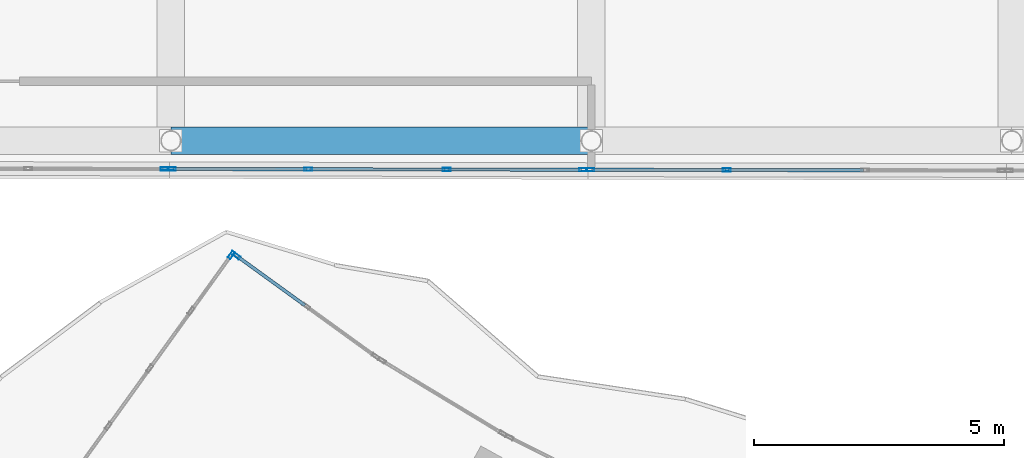
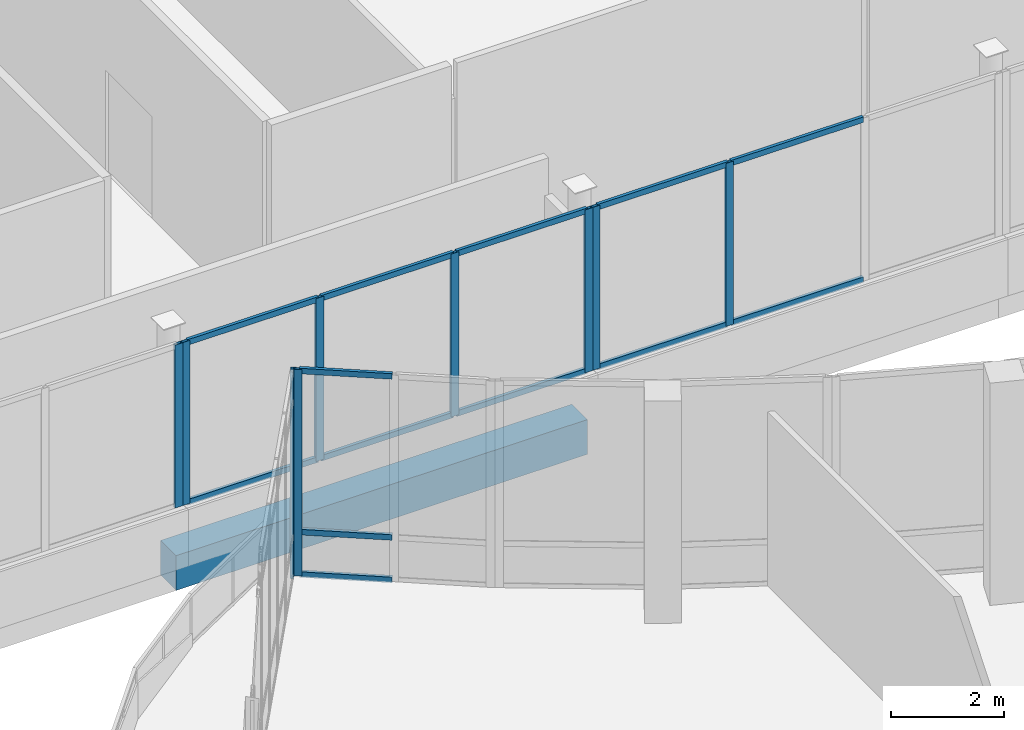
# One storey, part 28 of 155: 22 members, 1 beam, 5 elements without a shape of their own.
"""IFC4 building model written with IfcOpenShell, lengths in metres."""

from ifc_helpers import new_model, si_unit, direction, frame, origin, origin_2d, place, context, subcontext, project, spatial, rectangle, hollow_rectangle, extrude, material, material_profile, profile_set, type_object, element, aggregate, save


model = new_model("IFC4")

# Units and contexts
model_context = context("Model", 3, precision=1e-05, world=origin(), true_north=direction((0.0, 1.0)))
body_context = subcontext(model_context, "Body", "Model", "MODEL_VIEW")
ifc_project = project(units=[si_unit("LENGTHUNIT", "METRE"), si_unit("AREAUNIT", "SQUARE_METRE"), si_unit("VOLUMEUNIT", "CUBIC_METRE"), si_unit("PLANEANGLEUNIT", "RADIAN"), si_unit("MASSUNIT", "GRAM", prefix="KILO")], contexts=[model_context])

# Site, building, storey
site_placement = place(None, origin())
site = spatial("IfcSite", under=ifc_project, at=site_placement, CompositionType="ELEMENT")
building_placement = place(site_placement, origin())
building = spatial("IfcBuilding", under=site, at=building_placement, Name="Selatvlak General Hospital", CompositionType="ELEMENT")
storey_placement = place(building_placement, frame((0.0, 0.0, 10.199951171875)))
storey = spatial("IfcBuildingStorey", under=building, at=storey_placement, Name="L02", CompositionType="ELEMENT", Elevation=10.199951171875)

# Beam
ifc_material_1 = material(Name="Concrete C40/50", Category="concrete")
ifc_material_profile_1 = material_profile(ifc_material_1, rectangle(XDim=0.550048828125, YDim=0.75, at=origin_2d()), Name="RC-BM 550x750")
ifc_profile_set_1 = profile_set([ifc_material_profile_1], Name="Concrete C40/50")
beam_type = type_object("IfcBeamType", Name="BM-G02", PredefinedType="BEAM", material=ifc_profile_set_1)
beam_placement = place(storey_placement, frame((31.199951171875, 52.550048828125, -0.72998046875), z_axis=(1.0, 0.0, 0.0), x_axis=(0.0, 1.0, 0.0)))
element("IfcBeam", 1, at=beam_placement, inside=storey, type_object=beam_type, Name="Beam BMR-L02-0768", PredefinedType="BEAM", context=body_context, shape_type="SweptSolid", body=[
    extrude(rectangle(XDim=0.550048828125, YDim=0.75, at=origin_2d()), origin(), (0.0, 0.0, 1.0), 8.400146484375),
])

# Curtain wall, member
ifc_material_2 = material(Name="Solar-control Low-E double glazing", Category="glass")
curtain_wall_type_1 = type_object("IfcCurtainWallType", Name="CW-CW-01", PredefinedType="USERDEFINED", material=ifc_material_2)
curtain_wall_1_placement = place(storey_placement, origin())
curtain_wall_1 = element("IfcCurtainWall", 2, at=curtain_wall_1_placement, inside=storey, type_object=curtain_wall_type_1, Name="Glazed facade curtain wall CW-L02-0320", ObjectType="UNITISED CURTAIN WALL", PredefinedType="USERDEFINED")
ifc_material_3 = material(Name="Dark anodised aluminium mullion", Category="aluminium")
ifc_material_profile_2 = material_profile(ifc_material_3, hollow_rectangle(XDim=0.06494140625, YDim=0.159912109375, WallThickness=0.00390625, at=origin_2d()), Name="AL-MUL 65x160x4")
ifc_profile_set_2 = profile_set([ifc_material_profile_2], Name="Dark anodised aluminium mullion")
member_type_1 = type_object("IfcMemberType", Name="CWM-01", PredefinedType="MULLION", material=ifc_profile_set_2)
member_1_placement = place(storey_placement, frame((32.407958984375, 50.2666015625, 0.0), z_axis=(0.0, 0.0, 1.0), x_axis=(-0.811837318502, 0.583883694145, 0.0)))
member_1 = element("IfcMember", 3, at=member_1_placement, type_object=member_type_1, Name="CW-01 mullion 6", PredefinedType="MULLION", context=body_context, shape_type="SweptSolid", body=[
    extrude(hollow_rectangle(XDim=0.06494140625, YDim=0.159912109375, WallThickness=0.00390625, at=origin_2d()), origin(), (0.0, 0.0, 1.0), 4.4599609375),
])
aggregate(curtain_wall_1, [member_1])

curtain_wall_2_placement = place(storey_placement, origin())
curtain_wall_2 = element("IfcCurtainWall", 4, at=curtain_wall_2_placement, inside=storey, type_object=curtain_wall_type_1, Name="Glazed facade curtain wall CW-L02-0321", ObjectType="UNITISED CURTAIN WALL", PredefinedType="USERDEFINED")
member_2_placement = place(storey_placement, frame((32.514404296875, 50.248046875, 0.0), z_axis=(0.0, 0.0, 1.0), x_axis=(0.58631560804, 0.810082716622, 0.0)))
member_2 = element("IfcMember", 5, at=member_2_placement, type_object=member_type_1, Name="CW-01 mullion 1", PredefinedType="MULLION", context=body_context, shape_type="SweptSolid", body=[
    extrude(hollow_rectangle(XDim=0.06494140625, YDim=0.159912109375, WallThickness=0.00390625, at=origin_2d()), origin(), (0.0, 0.0, 1.0), 4.4599609375),
])

# Curtain wall, members
curtain_wall_type_2 = type_object("IfcCurtainWallType", Name="CW-CW-02", PredefinedType="USERDEFINED", material=ifc_material_2)
curtain_wall_3_placement = place(storey_placement, origin())
curtain_wall_3 = element("IfcCurtainWall", 6, at=curtain_wall_3_placement, inside=storey, type_object=curtain_wall_type_2, Name="Glazed facade curtain wall CW-L02-0343", ObjectType="UNITISED CURTAIN WALL", PredefinedType="USERDEFINED")
member_3_placement = place(storey_placement, frame((42.30859375, 51.965087890625, 0.93994140625), z_axis=(0.0, 0.0, 1.0), x_axis=(-0.001811153756, -0.99999835986, 0.0)))
member_3 = element("IfcMember", 7, at=member_3_placement, type_object=member_type_1, Name="CW-02 mullion 3", PredefinedType="MULLION", context=body_context, shape_type="SweptSolid", body=[
    extrude(hollow_rectangle(XDim=0.06494140625, YDim=0.159912109375, WallThickness=0.00390625, at=origin_2d()), origin(), (0.0, 0.0, 1.0), 3.52001953125),
])
member_4_placement = place(storey_placement, frame((39.58056640625, 51.969970703125, 0.93994140625), z_axis=(0.0, 0.0, 1.0), x_axis=(-0.001811153756, -0.99999835986, 0.0)))
member_4 = element("IfcMember", 8, at=member_4_placement, type_object=member_type_1, Name="CW-02 mullion 4", PredefinedType="MULLION", context=body_context, shape_type="SweptSolid", body=[
    extrude(hollow_rectangle(XDim=0.06494140625, YDim=0.159912109375, WallThickness=0.00390625, at=origin_2d()), origin(), (0.0, 0.0, 1.0), 3.52001953125),
])

curtain_wall_4_placement = place(storey_placement, origin())
curtain_wall_4 = element("IfcCurtainWall", 9, at=curtain_wall_4_placement, inside=storey, type_object=curtain_wall_type_1, Name="Glazed facade curtain wall CW-L02-0344", ObjectType="UNITISED CURTAIN WALL", PredefinedType="USERDEFINED")
member_5_placement = place(storey_placement, frame((39.435546875, 51.969970703125, 0.93994140625), z_axis=(0.0, 0.0, 1.0), x_axis=(-0.001811153756, -0.99999835986, 0.0)))
member_5 = element("IfcMember", 10, at=member_5_placement, type_object=member_type_1, Name="CW-01 mullion 1", PredefinedType="MULLION", context=body_context, shape_type="SweptSolid", body=[
    extrude(hollow_rectangle(XDim=0.06494140625, YDim=0.159912109375, WallThickness=0.00390625, at=origin_2d()), origin(), (0.0, 0.0, 1.0), 3.52001953125),
])
member_6_placement = place(storey_placement, frame((36.707275390625, 51.97509765625, 0.93994140625), z_axis=(0.0, 0.0, 1.0), x_axis=(-0.001811153756, -0.99999835986, 0.0)))
member_6 = element("IfcMember", 11, at=member_6_placement, type_object=member_type_1, Name="CW-01 mullion 2", PredefinedType="MULLION", context=body_context, shape_type="SweptSolid", body=[
    extrude(hollow_rectangle(XDim=0.06494140625, YDim=0.159912109375, WallThickness=0.00390625, at=origin_2d()), origin(), (0.0, 0.0, 1.0), 3.52001953125),
])
member_7_placement = place(storey_placement, frame((33.94677734375, 51.97998046875, 0.93994140625), z_axis=(0.0, 0.0, 1.0), x_axis=(-0.001811153756, -0.99999835986, 0.0)))
member_7 = element("IfcMember", 12, at=member_7_placement, type_object=member_type_1, Name="CW-01 mullion 3", PredefinedType="MULLION", context=body_context, shape_type="SweptSolid", body=[
    extrude(hollow_rectangle(XDim=0.06494140625, YDim=0.159912109375, WallThickness=0.00390625, at=origin_2d()), origin(), (0.0, 0.0, 1.0), 3.52001953125),
])
member_8_placement = place(storey_placement, frame((31.218505859375, 51.98486328125, 0.93994140625), z_axis=(0.0, 0.0, 1.0), x_axis=(-0.001811153756, -0.99999835986, 0.0)))
member_8 = element("IfcMember", 13, at=member_8_placement, type_object=member_type_1, Name="CW-01 mullion 4", PredefinedType="MULLION", context=body_context, shape_type="SweptSolid", body=[
    extrude(hollow_rectangle(XDim=0.06494140625, YDim=0.159912109375, WallThickness=0.00390625, at=origin_2d()), origin(), (0.0, 0.0, 1.0), 3.52001953125),
])

# Curtain wall, member
curtain_wall_5_placement = place(storey_placement, origin())
curtain_wall_5 = element("IfcCurtainWall", 14, at=curtain_wall_5_placement, inside=storey, type_object=curtain_wall_type_2, Name="Glazed facade curtain wall CW-L02-0345", ObjectType="UNITISED CURTAIN WALL", PredefinedType="USERDEFINED")
member_9_placement = place(storey_placement, frame((31.073486328125, 51.985107421875, 0.93994140625), z_axis=(0.0, 0.0, 1.0), x_axis=(-0.001811153756, -0.99999835986, 0.0)))
member_9 = element("IfcMember", 15, at=member_9_placement, type_object=member_type_1, Name="CW-02 mullion 1", PredefinedType="MULLION", context=body_context, shape_type="SweptSolid", body=[
    extrude(hollow_rectangle(XDim=0.06494140625, YDim=0.159912109375, WallThickness=0.00390625, at=origin_2d()), origin(), (0.0, 0.0, 1.0), 3.52001953125),
])
aggregate(curtain_wall_5, [member_9])

# Member
ifc_material_profile_3 = material_profile(ifc_material_3, hollow_rectangle(XDim=0.06494140625, YDim=0.1201171875, WallThickness=0.00390625, at=origin_2d()), Name="AL-TRN 65x120x4")
ifc_profile_set_3 = profile_set([ifc_material_profile_3], Name="Dark anodised aluminium mullion")
member_type_2 = type_object("IfcMemberType", Name="CWT-01", PredefinedType="USERDEFINED", material=ifc_profile_set_3)
member_10_placement = place(storey_placement, frame((32.540771484375, 50.22900390625, 0.032470703125), z_axis=(0.810007561929, -0.586419431481, 0.0), x_axis=(0.586419431481, 0.810007561929, 0.0)))
member_10 = element("IfcMember", 16, at=member_10_placement, type_object=member_type_2, Name="CW-01 transom 1.1", ObjectType="TRANSOM", PredefinedType="USERDEFINED", context=body_context, shape_type="SweptSolid", body=[
    extrude(hollow_rectangle(XDim=0.06494140625, YDim=0.1201171875, WallThickness=0.00390625, at=origin_2d()), origin(), (0.0, 0.0, 1.0), 1.64990234375),
])

member_11_placement = place(storey_placement, frame((32.540771484375, 50.22900390625, 0.949951171875), z_axis=(0.810007561929, -0.586419431481, 0.0), x_axis=(0.586419431481, 0.810007561929, 0.0)))
member_11 = element("IfcMember", 17, at=member_11_placement, type_object=member_type_2, Name="CW-01 transom 1.2", ObjectType="TRANSOM", PredefinedType="USERDEFINED", context=body_context, shape_type="SweptSolid", body=[
    extrude(hollow_rectangle(XDim=0.06494140625, YDim=0.1201171875, WallThickness=0.00390625, at=origin_2d()), origin(), (0.0, 0.0, 1.0), 1.64990234375),
])

member_12_placement = place(storey_placement, frame((32.540771484375, 50.22900390625, 4.427490234375), z_axis=(0.810007561929, -0.586419431481, 0.0), x_axis=(0.586419431481, 0.810007561929, 0.0)))
member_12 = element("IfcMember", 18, at=member_12_placement, type_object=member_type_2, Name="CW-01 transom 1.3", ObjectType="TRANSOM", PredefinedType="USERDEFINED", context=body_context, shape_type="SweptSolid", body=[
    extrude(hollow_rectangle(XDim=0.06494140625, YDim=0.1201171875, WallThickness=0.00390625, at=origin_2d()), origin(), (0.0, 0.0, 1.0), 1.64990234375),
])

aggregate(curtain_wall_2, [member_2, member_10, member_11, member_12])

member_13_placement = place(storey_placement, frame((45.036865234375, 51.9599609375, 0.97265625), z_axis=(-0.999998359662, 0.001811263104, 0.0), x_axis=(-0.001811263104, -0.999998359662, 0.0)))
member_13 = element("IfcMember", 19, at=member_13_placement, type_object=member_type_2, Name="CW-02 transom 2.1", ObjectType="TRANSOM", PredefinedType="USERDEFINED", context=body_context, shape_type="SweptSolid", body=[
    extrude(hollow_rectangle(XDim=0.06494140625, YDim=0.1201171875, WallThickness=0.00390625, at=origin_2d()), origin(), (0.0, 0.0, 1.0), 2.69580078125),
])

member_14_placement = place(storey_placement, frame((45.036865234375, 51.9599609375, 4.427490234375), z_axis=(-0.999998359662, 0.001811263104, 0.0), x_axis=(-0.001811263104, -0.999998359662, 0.0)))
member_14 = element("IfcMember", 20, at=member_14_placement, type_object=member_type_2, Name="CW-02 transom 2.2", ObjectType="TRANSOM", PredefinedType="USERDEFINED", context=body_context, shape_type="SweptSolid", body=[
    extrude(hollow_rectangle(XDim=0.06494140625, YDim=0.1201171875, WallThickness=0.00390625, at=origin_2d()), origin(), (0.0, 0.0, 1.0), 2.69580078125),
])

member_15_placement = place(storey_placement, frame((42.276123046875, 51.965087890625, 0.97265625), z_axis=(-0.999998319113, 0.001833513603, 0.0), x_axis=(-0.001833513603, -0.999998319113, 0.0)))
member_15 = element("IfcMember", 21, at=member_15_placement, type_object=member_type_2, Name="CW-02 transom 3.1", ObjectType="TRANSOM", PredefinedType="USERDEFINED", context=body_context, shape_type="SweptSolid", body=[
    extrude(hollow_rectangle(XDim=0.06494140625, YDim=0.1201171875, WallThickness=0.00390625, at=origin_2d()), origin(), (0.0, 0.0, 1.0), 2.6630859375),
])

member_16_placement = place(storey_placement, frame((42.276123046875, 51.965087890625, 4.427490234375), z_axis=(-0.999998319113, 0.001833513603, 0.0), x_axis=(-0.001833513603, -0.999998319113, 0.0)))
member_16 = element("IfcMember", 22, at=member_16_placement, type_object=member_type_2, Name="CW-02 transom 3.2", ObjectType="TRANSOM", PredefinedType="USERDEFINED", context=body_context, shape_type="SweptSolid", body=[
    extrude(hollow_rectangle(XDim=0.06494140625, YDim=0.1201171875, WallThickness=0.00390625, at=origin_2d()), origin(), (0.0, 0.0, 1.0), 2.6630859375),
])

aggregate(curtain_wall_3, [member_3, member_4, member_13, member_14, member_15, member_16])

member_17_placement = place(storey_placement, frame((39.403076171875, 51.97021484375, 0.97265625), z_axis=(-0.999998483277, 0.001741678539, 0.0), x_axis=(-0.001741678539, -0.999998483277, 0.0)))
member_17 = element("IfcMember", 23, at=member_17_placement, type_object=member_type_2, Name="CW-01 transom 1.1", ObjectType="TRANSOM", PredefinedType="USERDEFINED", context=body_context, shape_type="SweptSolid", body=[
    extrude(hollow_rectangle(XDim=0.06494140625, YDim=0.1201171875, WallThickness=0.00390625, at=origin_2d()), origin(), (0.0, 0.0, 1.0), 2.663330078125),
])

member_18_placement = place(storey_placement, frame((39.403076171875, 51.97021484375, 4.427490234375), z_axis=(-0.999998483277, 0.001741678539, 0.0), x_axis=(-0.001741678539, -0.999998483277, 0.0)))
member_18 = element("IfcMember", 24, at=member_18_placement, type_object=member_type_2, Name="CW-01 transom 1.2", ObjectType="TRANSOM", PredefinedType="USERDEFINED", context=body_context, shape_type="SweptSolid", body=[
    extrude(hollow_rectangle(XDim=0.06494140625, YDim=0.1201171875, WallThickness=0.00390625, at=origin_2d()), origin(), (0.0, 0.0, 1.0), 2.663330078125),
])

member_19_placement = place(storey_placement, frame((36.6748046875, 51.97509765625, 0.97265625), z_axis=(-0.999998359364, 0.001811427152, 0.0), x_axis=(-0.001811427152, -0.999998359364, 0.0)))
member_19 = element("IfcMember", 25, at=member_19_placement, type_object=member_type_2, Name="CW-01 transom 2.1", ObjectType="TRANSOM", PredefinedType="USERDEFINED", context=body_context, shape_type="SweptSolid", body=[
    extrude(hollow_rectangle(XDim=0.06494140625, YDim=0.1201171875, WallThickness=0.00390625, at=origin_2d()), origin(), (0.0, 0.0, 1.0), 2.695556640625),
])

member_20_placement = place(storey_placement, frame((36.6748046875, 51.97509765625, 4.427490234375), z_axis=(-0.999998359364, 0.001811427152, 0.0), x_axis=(-0.001811427152, -0.999998359364, 0.0)))
member_20 = element("IfcMember", 26, at=member_20_placement, type_object=member_type_2, Name="CW-01 transom 2.2", ObjectType="TRANSOM", PredefinedType="USERDEFINED", context=body_context, shape_type="SweptSolid", body=[
    extrude(hollow_rectangle(XDim=0.06494140625, YDim=0.1201171875, WallThickness=0.00390625, at=origin_2d()), origin(), (0.0, 0.0, 1.0), 2.695556640625),
])

member_21_placement = place(storey_placement, frame((33.9140625, 51.97998046875, 0.97265625), z_axis=(-0.999998319113, 0.001833513603, 0.0), x_axis=(-0.001833513603, -0.999998319113, 0.0)))
member_21 = element("IfcMember", 27, at=member_21_placement, type_object=member_type_2, Name="CW-01 transom 3.1", ObjectType="TRANSOM", PredefinedType="USERDEFINED", context=body_context, shape_type="SweptSolid", body=[
    extrude(hollow_rectangle(XDim=0.06494140625, YDim=0.1201171875, WallThickness=0.00390625, at=origin_2d()), origin(), (0.0, 0.0, 1.0), 2.6630859375),
])

member_22_placement = place(storey_placement, frame((33.9140625, 51.97998046875, 4.427490234375), z_axis=(-0.999998319113, 0.001833513603, 0.0), x_axis=(-0.001833513603, -0.999998319113, 0.0)))
member_22 = element("IfcMember", 28, at=member_22_placement, type_object=member_type_2, Name="CW-01 transom 3.2", ObjectType="TRANSOM", PredefinedType="USERDEFINED", context=body_context, shape_type="SweptSolid", body=[
    extrude(hollow_rectangle(XDim=0.06494140625, YDim=0.1201171875, WallThickness=0.00390625, at=origin_2d()), origin(), (0.0, 0.0, 1.0), 2.6630859375),
])

aggregate(curtain_wall_4, [member_5, member_6, member_7, member_8, member_17, member_18, member_19, member_20, member_21, member_22])

save(model, "model.ifc")
